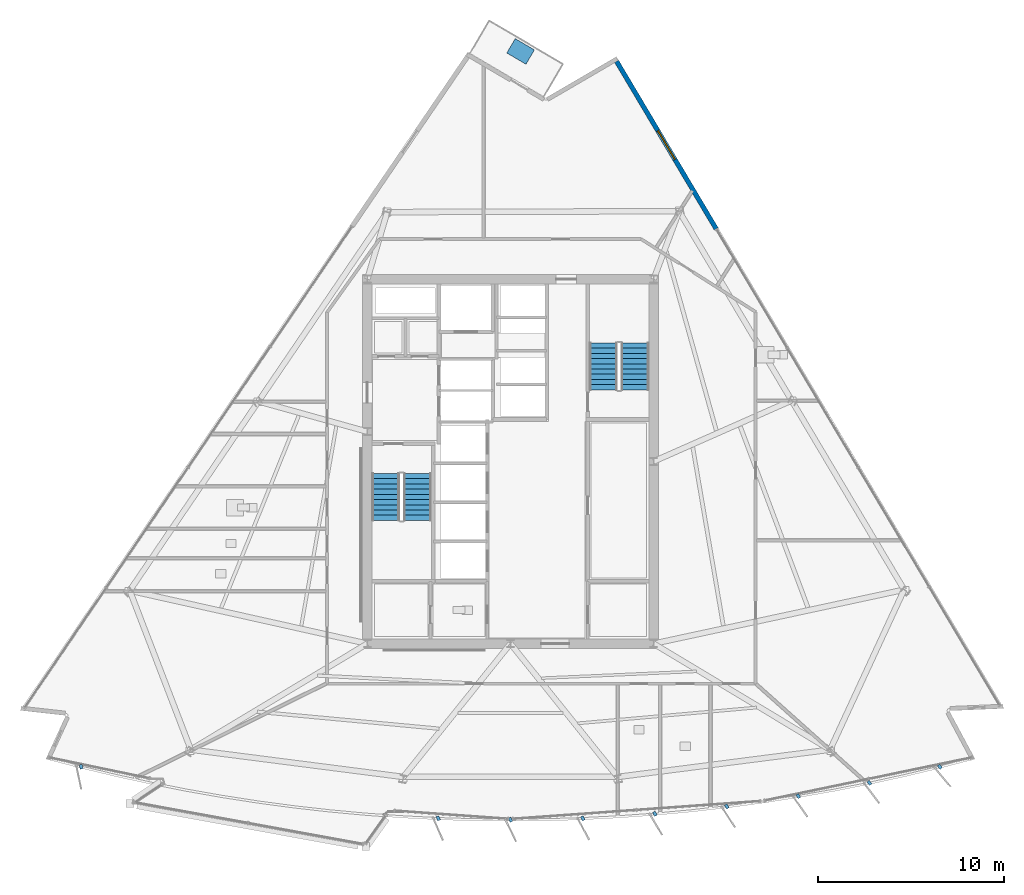
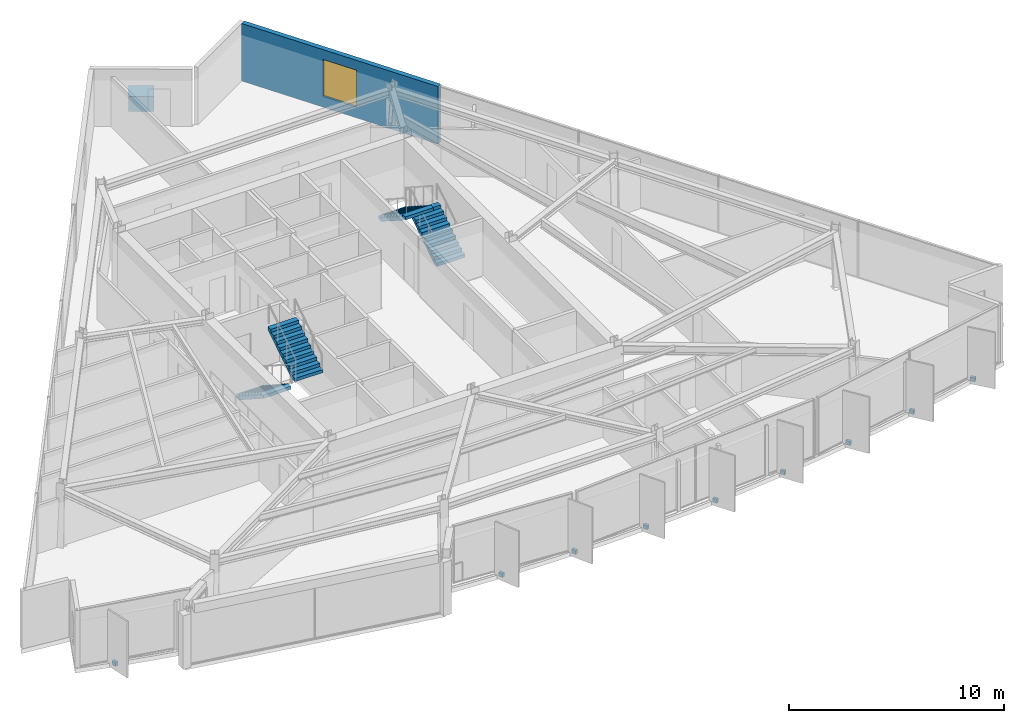
# One storey, part 10 of 14: 10 discrete accessories, 4 stair flights, 1 wall, 1 window, 1 opening, 2 elements without a shape of their own.
"""IFC4 building model written with IfcOpenShell, lengths in metres."""

import ifcopenshell
import ifcopenshell.guid

model = None  # the IFC model being written
_history = None  # IfcOwnerHistory: only IFC2X3 demands one
_inside = {}  # id of a spatial element -> (the spatial element, [elements in it])
_under = {}  # id of a project, library or spatial element -> (it, [spatial elements below it])
_declared = {}  # id of a project -> (the project, [libraries it declares])
_typed = {}  # id of a type object -> (the type object, [elements of that type])
_made_of = {}  # id of a material, layer set ... -> (it, [elements and type objects made of it])


def new_model(schema):
    """Start an empty IFC model of exactly this schema.

    Asked for "IFC4X3", IfcOpenShell would pick the latest addendum, in which some entities
    have other attributes; the version numbers below select the first issue.
    IFC2X3 requires an IfcOwnerHistory on every rooted entity: one is made here for all.
    """
    global model, _history
    if schema == "IFC4X3":
        model = ifcopenshell.file(schema_version=(4, 3, 0, 0))
    else:
        model = ifcopenshell.file(schema=schema)
    _inside.clear()
    _under.clear()
    _declared.clear()
    _typed.clear()
    _made_of.clear()
    _history = None
    if model.schema == "IFC2X3":
        org = make("IfcOrganization", Name="unknown")
        user = make(
            "IfcPersonAndOrganization",
            ThePerson=make("IfcPerson", FamilyName="unknown"),
            TheOrganization=org,
        )
        app = make(
            "IfcApplication",
            ApplicationDeveloper=org,
            Version="unknown",
            ApplicationFullName="unknown",
            ApplicationIdentifier="unknown",
        )
        _history = make(
            "IfcOwnerHistory",
            OwningUser=user,
            OwningApplication=app,
            ChangeAction="ADDED",
            CreationDate=0,
        )
    return model


def make(cls, **values):
    """One entity of the class cls with the attributes given. An attribute that is None is left unset."""
    return model.create_entity(
        cls, **{name: value for name, value in values.items() if value is not None}
    )


def rooted(cls, **values):
    """An entity with a GlobalId (a new one), such as an element, a storey or a relation."""
    return make(cls, GlobalId=ifcopenshell.guid.new(), OwnerHistory=_history, **values)


def si_unit(unit_type, name, prefix=None):
    """IfcSIUnit, for example si_unit("LENGTHUNIT", "METRE", prefix="MILLI")."""
    return make("IfcSIUnit", UnitType=unit_type, Prefix=prefix, Name=name)


def assignment(units):
    """IfcUnitAssignment: the units of a project."""
    return None if units is None else make("IfcUnitAssignment", Units=units)


def point(xyz):
    """IfcCartesianPoint."""
    return None if xyz is None else make("IfcCartesianPoint", Coordinates=xyz)


def direction(xyz):
    """IfcDirection."""
    return None if xyz is None else make("IfcDirection", DirectionRatios=xyz)


def frame(location, z_axis=None, x_axis=None):
    """IfcAxis2Placement3D, a coordinate frame: its origin and axes. An axis left out is left unset."""
    return make(
        "IfcAxis2Placement3D",
        Location=point(location),
        Axis=direction(z_axis),
        RefDirection=direction(x_axis),
    )


def frame_2d(location, x_axis=None):
    """IfcAxis2Placement2D, a coordinate frame in the plane: its origin and x axis."""
    return make(
        "IfcAxis2Placement2D", Location=point(location), RefDirection=direction(x_axis)
    )


def origin():
    """The frame at (0, 0, 0) with its axes left unset."""
    return frame((0.0, 0.0, 0.0))


def origin_2d():
    """The frame at (0, 0) in the plane with its x axis left unset."""
    return frame_2d((0.0, 0.0))


def place(relative_to, where):
    """IfcLocalPlacement: puts the frame where relative to a parent placement (None: the world)."""
    return make(
        "IfcLocalPlacement", PlacementRelTo=relative_to, RelativePlacement=where
    )


def context(
    kind, dimensions, precision=None, world=None, true_north=None, identifier=None
):
    """IfcGeometricRepresentationContext, for example the 3D "Model" context."""
    return make(
        "IfcGeometricRepresentationContext",
        ContextIdentifier=identifier,
        ContextType=kind,
        CoordinateSpaceDimension=dimensions,
        Precision=precision,
        WorldCoordinateSystem=world,
        TrueNorth=true_north,
    )


def subcontext(parent, identifier, kind, view, scale=None):
    """IfcGeometricRepresentationSubContext, for example "Body" below "Model"."""
    return make(
        "IfcGeometricRepresentationSubContext",
        ContextIdentifier=identifier,
        ContextType=kind,
        ParentContext=parent,
        TargetScale=scale,
        TargetView=view,
    )


def project(units=None, contexts=None):
    """IfcProject with its units and contexts."""
    return rooted(
        "IfcProject",
        Name="project",
        RepresentationContexts=contexts,
        UnitsInContext=assignment(units),
    )


def spatial(cls, under=None, at=None, **own):
    """A site, building, storey or space (cls), placed at a placement, below another one or the project."""
    s = rooted(cls, ObjectPlacement=at, **own)
    if under is not None:
        _under.setdefault(under.id(), (under, []))[1].append(s)
    return s


def polyline(points):
    """IfcPolyline through the points."""
    return make("IfcPolyline", Points=[point(p) for p in points])


def profile(cls, at=None, kind="AREA", **sizes):
    """A parametric profile (cls). Its sizes go by their IFC names, for example OverallWidth=200.0."""
    return make(cls, ProfileType=kind, Position=at, **sizes)


def rectangle(**sizes):
    """IfcRectangleProfileDef."""
    return profile("IfcRectangleProfileDef", **sizes)


def outline(outer, holes=None, kind="AREA"):
    """IfcArbitraryClosedProfileDef: a profile drawn as a closed curve; with holes, ...WithVoids."""
    if holes is None:
        return make("IfcArbitraryClosedProfileDef", ProfileType=kind, OuterCurve=outer)
    return make(
        "IfcArbitraryProfileDefWithVoids",
        ProfileType=kind,
        OuterCurve=outer,
        InnerCurves=holes,
    )


def extrude(swept, where, along, depth):
    """IfcExtrudedAreaSolid: the profile swept, set in the frame where, extruded along a direction by depth."""
    return make(
        "IfcExtrudedAreaSolid",
        SweptArea=swept,
        Position=where,
        ExtrudedDirection=direction(along),
        Depth=depth,
    )


def shape(context_of_items, identifier, shape_type, items):
    """IfcShapeRepresentation: the items that make up one representation, for example the "Body"."""
    return make(
        "IfcShapeRepresentation",
        ContextOfItems=context_of_items,
        RepresentationIdentifier=identifier,
        RepresentationType=shape_type,
        Items=items,
    )


def material(Name=None, Category=None):
    """IfcMaterial."""
    return make("IfcMaterial", Name=Name, Category=Category)


def layer(
    of_material, thickness, ventilated=None, Name=None, Category=None, Priority=None
):
    """IfcMaterialLayer: one layer of a wall or slab, of a material (None: an air gap)."""
    return make(
        "IfcMaterialLayer",
        Material=of_material,
        LayerThickness=thickness,
        IsVentilated=ventilated,
        Name=Name,
        Category=Category,
        Priority=Priority,
    )


def layer_set(layers, Name=None):
    """IfcMaterialLayerSet."""
    return make("IfcMaterialLayerSet", MaterialLayers=layers, LayerSetName=Name)


def made_of(thing, what):
    """Note that an element or type object is made of a material, layer set ...; save() writes the relation."""
    if what is not None:
        _made_of.setdefault(what.id(), (what, []))[1].append(thing)
    return thing


def type_object(cls, material=None, **own):
    """A type object (cls), such as IfcWallType, which elements share."""
    return made_of(rooted(cls, **own), material)


def element(
    cls,
    number,
    at=None,
    inside=None,
    cuts=None,
    type_object=None,
    material=None,
    context=None,
    identifier="Body",
    shape_type=None,
    held_by="IfcProductDefinitionShape",
    body=None,
    shapes=None,
    **own,
):
    """One element of the class cls, such as IfcWall. Its Tag is "e" and its number.

    at: its placement. inside: the storey or other place that contains it. cuts: it is an
    opening in that element (IfcRelVoidsElement). A single representation is given by context,
    identifier, shape_type and body (its items); several are given by shapes. held_by: the class
    of the entity that holds the representations. save() writes the other relations.
    """
    e = rooted(cls, Tag="e%d" % number, ObjectPlacement=at, **own)
    if body is not None:
        shapes = [shape(context, identifier, shape_type, body)]
    if shapes is not None:
        e.Representation = make(held_by, Representations=shapes)
    if inside is not None:
        _inside.setdefault(inside.id(), (inside, []))[1].append(e)
    if cuts is not None:
        rooted(
            "IfcRelVoidsElement", RelatingBuildingElement=cuts, RelatedOpeningElement=e
        )
    if type_object is not None:
        _typed.setdefault(type_object.id(), (type_object, []))[1].append(e)
    return made_of(e, material)


def fill(opening, filler):
    """IfcRelFillsElement: the door or window that sits in an opening."""
    return rooted(
        "IfcRelFillsElement",
        RelatingOpeningElement=opening,
        RelatedBuildingElement=filler,
    )


def aggregate(whole, parts):
    """IfcRelAggregates: a whole, such as a stair, and the parts it consists of."""
    return rooted("IfcRelAggregates", RelatingObject=whole, RelatedObjects=parts)


def save(model, path):
    """Write the relations noted so far, then the file.

    IfcRelAggregates (storeys below a building ...), IfcRelContainedInSpatialStructure (elements
    in a storey), IfcRelDefinesByType, IfcRelAssociatesMaterial and IfcRelDeclares: one each for
    every whole, place, type object, material and project.
    """
    for whole, parts in _under.values():
        aggregate(whole, parts)
    for where, things in _inside.values():
        rooted(
            "IfcRelContainedInSpatialStructure",
            RelatedElements=things,
            RelatingStructure=where,
        )
    for kind, things in _typed.values():
        rooted("IfcRelDefinesByType", RelatedObjects=things, RelatingType=kind)
    for what, things in _made_of.values():
        rooted("IfcRelAssociatesMaterial", RelatedObjects=things, RelatingMaterial=what)
    for by, libraries in _declared.values():
        rooted("IfcRelDeclares", RelatingContext=by, RelatedDefinitions=libraries)
    model.write(path)


model = new_model("IFC4")

# Units and contexts
model_context = context("Model", 3, precision=1e-05, world=origin(), true_north=direction((0.0, 1.0)))
body_context = subcontext(model_context, "Body", "Model", "MODEL_VIEW")
ifc_project = project(units=[si_unit("LENGTHUNIT", "METRE"), si_unit("AREAUNIT", "SQUARE_METRE"), si_unit("VOLUMEUNIT", "CUBIC_METRE"), si_unit("PLANEANGLEUNIT", "RADIAN"), si_unit("MASSUNIT", "GRAM", prefix="KILO")], contexts=[model_context])

# Site, building, storey
site_placement = place(None, origin())
site = spatial("IfcSite", under=ifc_project, at=site_placement, CompositionType="ELEMENT")
building_placement = place(site_placement, origin())
building = spatial("IfcBuilding", under=site, at=building_placement, Name="Savorim Split Tower", CompositionType="ELEMENT")
storey_placement = place(building_placement, frame((0.0, 0.0, 181.800048828125)))
storey = spatial("IfcBuildingStorey", under=building, at=storey_placement, Name="L48", CompositionType="ELEMENT", Elevation=181.800048828125)

# Wall, opening, window
ifc_material_1 = material(Name="Precast concrete C40/50", Category="concrete")
ifc_layer = layer(ifc_material_1, 0.25)
ifc_layer_set = layer_set([ifc_layer], Name="WAL-EXT-SPN250")
wall_type = type_object("IfcWallType", Name="WAL-EXT-SPN250", PredefinedType="SOLIDWALL", material=ifc_layer_set)
wall_placement = place(storey_placement, frame((5.706298828125, 21.918701171875, 0.0), z_axis=(0.0, 0.0, 1.0), x_axis=(0.511079110892, -0.859533677298, 0.0)))
wall = element("IfcWall", 1, at=wall_placement, inside=storey, type_object=wall_type, Name="L48 East Operable Window Pier", PredefinedType="SOLIDWALL", context=body_context, shape_type="SweptSolid", body=[
    extrude(rectangle(XDim=10.4892578125, YDim=0.25, at=frame_2d((5.24462890625, 0.0))), origin(), (0.0, 0.0, 1.0), 3.280029296875),
])
opening_placement = place(wall_placement, frame((4.344482421875, 0.0, 0.6201171875)))
opening = element("IfcOpeningElement", 2, at=opening_placement, cuts=wall, Name="Opening WN-04", PredefinedType="OPENING", context=body_context, shape_type="SweptSolid", body=[
    extrude(rectangle(XDim=1.800048828125, YDim=2.10009765625, at=frame_2d((0.89990234375, 1.050048828125))), frame((0.0, 0.135009765625, 0.0), z_axis=(0.0, -1.0, 0.0), x_axis=(1.0, 0.0, 0.0)), (0.0, 0.0, 1.0), 0.27001953125),
])
ifc_material_2 = material(Name="Low-E Operable Double Glazing", Category="glass")
window_type = type_object("IfcWindowType", Name="WIN-TWR-1800x2100", PartitioningType="DOUBLE_PANEL_VERTICAL", PredefinedType="WINDOW", material=ifc_material_2)
window_placement = place(opening_placement, origin())
window = element("IfcWindow", 3, at=window_placement, inside=storey, type_object=window_type, Name="L48 East Operable Ventilation Window", OverallHeight=2.10009765625, OverallWidth=1.800048828125, PartitioningType="SINGLE_PANEL", PredefinedType="WINDOW", context=body_context, shape_type="SweptSolid", body=[
    extrude(rectangle(XDim=1.800048828125, YDim=2.10009765625, at=frame_2d((0.89990234375, 1.050048828125))), frame((0.0, 0.030029296875, 0.0), z_axis=(0.0, -1.0, 0.0), x_axis=(1.0, 0.0, 0.0)), (0.0, 0.0, 1.0), 0.06005859375),
])
fill(opening, window)

# Stair, stair flights
ifc_material_3 = material(Name="Concrete C50/60", Category="concrete")
stair_type = type_object("IfcStairType", Name="STR-DOG-3600", PredefinedType="HALF_TURN_STAIR", material=ifc_material_3)
stair_1_placement = place(storey_placement, origin())
stair_1 = element("IfcStair", 4, at=stair_1_placement, inside=storey, type_object=stair_type, Name="L48 Core Protected Exit Stair ST-1", PredefinedType="HALF_TURN_STAIR")
stair_flight_type = type_object("IfcStairFlightType", Name="SFL-DOG-3600", PredefinedType="STRAIGHT", material=ifc_material_3)
stair_flight_1_placement = place(storey_placement, frame((-6.699951171875, -0.25, 0.0), z_axis=(0.0, 0.0, 1.0), x_axis=(0.0, -1.0, 0.0)))
stair_flight_1 = element("IfcStairFlight", 5, at=stair_flight_1_placement, type_object=stair_flight_type, Name="ST-1 flight 1", NumberOfRisers=10, NumberOfTreads=9, PredefinedType="STRAIGHT", RiserHeight=0.18, TreadLength=0.28, context=body_context, shape_type="SweptSolid", body=[
    extrude(outline(polyline([(0.0, 0.0), (0.0, 0.179931640625), (0.280029296875, 0.179931640625), (0.280029296875, 0.360107421875), (0.56005859375, 0.360107421875), (0.56005859375, 0.5400390625), (0.840087890625, 0.5400390625), (0.840087890625, 0.719970703125), (1.1201171875, 0.719970703125), (1.1201171875, 0.89990234375), (1.39990234375, 0.89990234375), (1.39990234375, 1.080078125), (1.679931640625, 1.080078125), (1.679931640625, 1.260009765625), (1.9599609375, 1.260009765625), (1.9599609375, 1.43994140625), (2.239990234375, 1.43994140625), (2.239990234375, 1.6201171875), (2.52001953125, 1.6201171875), (2.52001953125, 1.800048828125), (2.52001953125, 1.44189453125), (0.277099609375, 0.0), (0.0, 0.0)])), frame((0.0, 0.75, 0.0), z_axis=(0.0, -1.0, 0.0), x_axis=(1.0, 0.0, 0.0)), (0.0, 0.0, 1.0), 1.5),
])
stair_flight_2_placement = place(storey_placement, frame((-5.0, -2.77001953125, 1.800048828125), z_axis=(0.0, 0.0, 1.0), x_axis=(0.0, 1.0, 0.0)))
stair_flight_2 = element("IfcStairFlight", 6, at=stair_flight_2_placement, type_object=stair_flight_type, Name="ST-1 flight 2", NumberOfRisers=10, NumberOfTreads=9, PredefinedType="STRAIGHT", RiserHeight=0.18, TreadLength=0.28, context=body_context, shape_type="SweptSolid", body=[
    extrude(outline(polyline([(0.0, 0.0), (0.0, 0.179931640625), (0.280029296875, 0.179931640625), (0.280029296875, 0.360107421875), (0.56005859375, 0.360107421875), (0.56005859375, 0.5400390625), (0.840087890625, 0.5400390625), (0.840087890625, 0.719970703125), (1.1201171875, 0.719970703125), (1.1201171875, 0.89990234375), (1.39990234375, 0.89990234375), (1.39990234375, 1.080078125), (1.679931640625, 1.080078125), (1.679931640625, 1.260009765625), (1.9599609375, 1.260009765625), (1.9599609375, 1.43994140625), (2.239990234375, 1.43994140625), (2.239990234375, 1.6201171875), (2.52001953125, 1.6201171875), (2.52001953125, 1.800048828125), (2.52001953125, 1.44189453125), (0.277099609375, 0.0), (0.0, 0.0)])), frame((0.0, 0.75, 0.0), z_axis=(0.0, -1.0, 0.0), x_axis=(1.0, 0.0, 0.0)), (0.0, 0.0, 1.0), 1.5),
])
aggregate(stair_1, [stair_flight_1, stair_flight_2])

stair_2_placement = place(storey_placement, origin())
stair_2 = element("IfcStair", 7, at=stair_2_placement, inside=storey, type_object=stair_type, Name="L48 Core Protected Exit Stair ST-2", PredefinedType="HALF_TURN_STAIR")
stair_flight_3_placement = place(storey_placement, frame((6.699951171875, 4.25, 0.0), z_axis=(0.0, 0.0, 1.0), x_axis=(0.0, 1.0, 0.0)))
stair_flight_3 = element("IfcStairFlight", 8, at=stair_flight_3_placement, type_object=stair_flight_type, Name="ST-2 flight 1", NumberOfRisers=10, NumberOfTreads=9, PredefinedType="STRAIGHT", RiserHeight=0.18, TreadLength=0.28, context=body_context, shape_type="SweptSolid", body=[
    extrude(outline(polyline([(0.0, 0.0), (0.0, 0.179931640625), (0.280029296875, 0.179931640625), (0.280029296875, 0.360107421875), (0.56005859375, 0.360107421875), (0.56005859375, 0.5400390625), (0.840087890625, 0.5400390625), (0.840087890625, 0.719970703125), (1.1201171875, 0.719970703125), (1.1201171875, 0.89990234375), (1.39990234375, 0.89990234375), (1.39990234375, 1.080078125), (1.679931640625, 1.080078125), (1.679931640625, 1.260009765625), (1.9599609375, 1.260009765625), (1.9599609375, 1.43994140625), (2.239990234375, 1.43994140625), (2.239990234375, 1.6201171875), (2.52001953125, 1.6201171875), (2.52001953125, 1.800048828125), (2.52001953125, 1.44189453125), (0.277099609375, 0.0), (0.0, 0.0)])), frame((0.0, 0.75, 0.0), z_axis=(0.0, -1.0, 0.0), x_axis=(1.0, 0.0, 0.0)), (0.0, 0.0, 1.0), 1.5),
])
stair_flight_4_placement = place(storey_placement, frame((5.0, 6.77001953125, 1.800048828125), z_axis=(0.0, 0.0, 1.0), x_axis=(0.0, -1.0, 0.0)))
stair_flight_4 = element("IfcStairFlight", 9, at=stair_flight_4_placement, type_object=stair_flight_type, Name="ST-2 flight 2", NumberOfRisers=10, NumberOfTreads=9, PredefinedType="STRAIGHT", RiserHeight=0.18, TreadLength=0.28, context=body_context, shape_type="SweptSolid", body=[
    extrude(outline(polyline([(0.0, 0.0), (0.0, 0.179931640625), (0.280029296875, 0.179931640625), (0.280029296875, 0.360107421875), (0.56005859375, 0.360107421875), (0.56005859375, 0.5400390625), (0.840087890625, 0.5400390625), (0.840087890625, 0.719970703125), (1.1201171875, 0.719970703125), (1.1201171875, 0.89990234375), (1.39990234375, 0.89990234375), (1.39990234375, 1.080078125), (1.679931640625, 1.080078125), (1.679931640625, 1.260009765625), (1.9599609375, 1.260009765625), (1.9599609375, 1.43994140625), (2.239990234375, 1.43994140625), (2.239990234375, 1.6201171875), (2.52001953125, 1.6201171875), (2.52001953125, 1.800048828125), (2.52001953125, 1.44189453125), (0.277099609375, 0.0), (0.0, 0.0)])), frame((0.0, 0.75, 0.0), z_axis=(0.0, -1.0, 0.0), x_axis=(1.0, 0.0, 0.0)), (0.0, 0.0, 1.0), 1.5),
])
aggregate(stair_2, [stair_flight_3, stair_flight_4])

# Discrete accessories
ifc_material_4 = material(Name="Steel S355", Category="steel")
discrete_accessory_type_1 = type_object("IfcDiscreteAccessoryType", Name="ACC-BRK-FIN", PredefinedType="BRACKET", material=ifc_material_4)
for number, where, z_axis, x_axis, name in (
    (10, (-23.090576171875, -16.022705078125, -0.18994140625), (0.0, 0.0, 1.0), (0.206721626106, -0.978399800337, 0.0), "L48 Fin Slab-Edge Cleat Bracket 01"),
    (11, (-3.88623046875, -18.79248046875, -0.18994140625), (0.0, 0.0, 1.0), (0.401230091723, -0.915977299662, 0.0), "L48 Fin Slab-Edge Cleat Bracket 06"),
    (12, (0.0, -18.8720703125, -0.18994140625), (0.0, 0.0, 1.0), (0.438371146789, -0.898794046299, 0.0), "L48 Fin Slab-Edge Cleat Bracket 07"),
    (13, (3.88623046875, -18.79248046875, -0.18994140625), (0.0, 0.0, 1.0), (0.474778051978, -0.880105562623, 0.0), "L48 Fin Slab-Edge Cleat Bracket 08"),
    (14, (7.76611328125, -18.553955078125, -0.18994140625), (0.0, 0.0, 1.0), (0.510391336723, -0.859942255851, 0.0), "L48 Fin Slab-Edge Cleat Bracket 09"),
    (15, (11.6328125, -18.156982421875, -0.18994140625), (0.0, 0.0, 1.0), (0.545148321708, -0.838339613366, 0.0), "L48 Fin Slab-Edge Cleat Bracket 10"),
    (16, (15.47998046875, -17.60205078125, -0.18994140625), (0.0, 0.0, 1.0), (0.578993757737, -0.815331974414, 0.0), "L48 Fin Slab-Edge Cleat Bracket 11"),
    (17, (19.301513671875, -16.89013671875, -0.18994140625), (0.0, 0.0, 1.0), (0.611868076908, -0.790959832394, 0.0), "L48 Fin Slab-Edge Cleat Bracket 12"),
    (18, (23.090576171875, -16.022705078125, -0.18994140625), (0.0, 0.0, 1.0), (0.643719022682, -0.765261928909, 0.0), "L48 Fin Slab-Edge Cleat Bracket 13"),
):
    element("IfcDiscreteAccessory", number, at=place(storey_placement, frame(where, z_axis=z_axis, x_axis=x_axis)), inside=storey, type_object=discrete_accessory_type_1, Name=name, PredefinedType="BRACKET", context=body_context, shape_type="SweptSolid", body=[
        extrude(rectangle(XDim=0.239990234375, YDim=0.159912109375, at=origin_2d()), origin(), (0.0, 0.0, 1.0), 0.219970703125),
    ])
ifc_material_5 = material(Name="Architectural Precast Planter Concrete C40/50", Category="concrete")
discrete_accessory_type_2 = type_object("IfcDiscreteAccessoryType", Name="ACC-PLN-TREE", PredefinedType="USERDEFINED", material=ifc_material_5)
discrete_accessory_placement = place(storey_placement, frame((0.543212890625, 22.44921875, 0.0), z_axis=(0.0, 0.0, 1.0), x_axis=(-0.86212657758, 0.506692968404, 0.0)))
element("IfcDiscreteAccessory", 19, at=discrete_accessory_placement, inside=storey, type_object=discrete_accessory_type_2, Name="L48 Balcony Precast Tree Planter N", ObjectType="PLANTER", PredefinedType="USERDEFINED", context=body_context, shape_type="SweptSolid", body=[
    extrude(rectangle(XDim=1.199951171875, YDim=0.89990234375, at=origin_2d()), origin(), (0.0, 0.0, 1.0), 0.85009765625),
])

save(model, "model.ifc")
